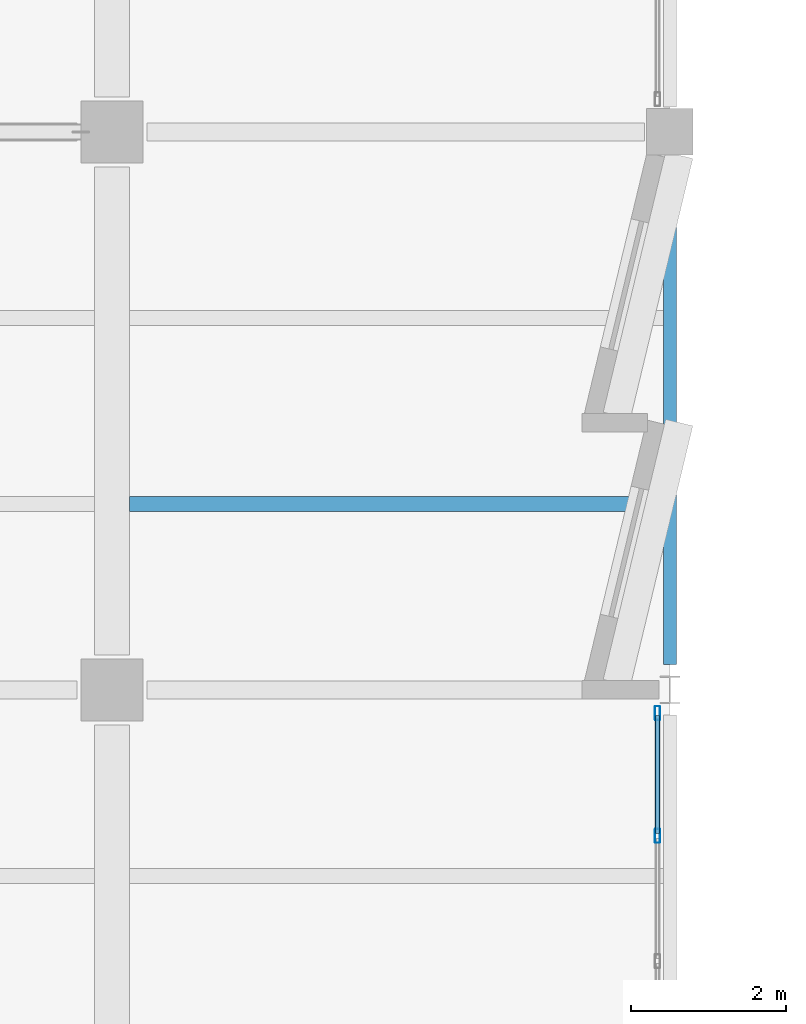
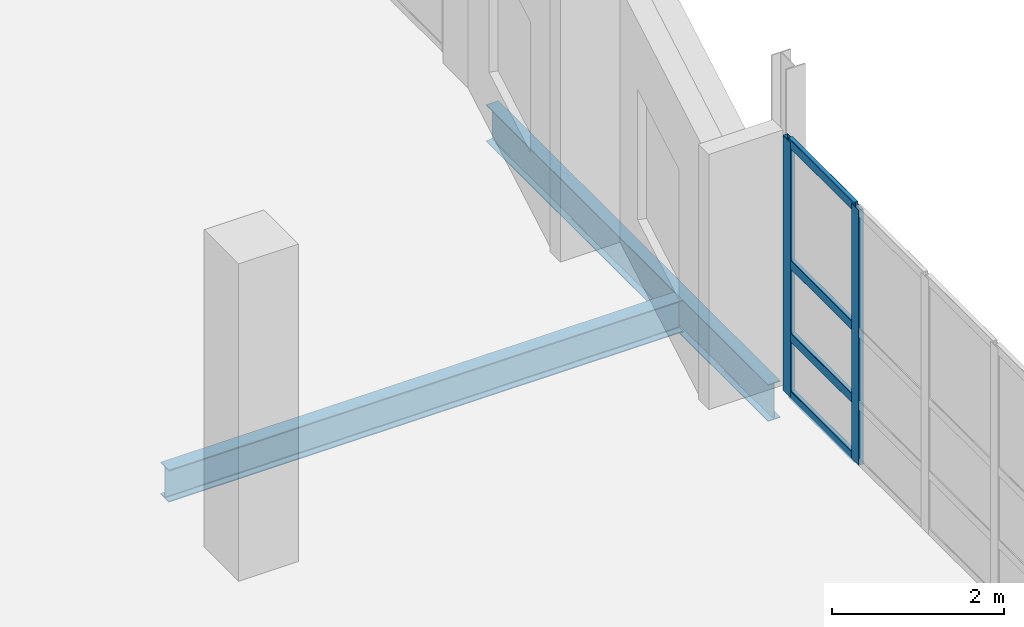
# One storey, part 30 of 123: 6 members, 2 beams, 1 element without a shape of its own.
"""IFC4 building model written with IfcOpenShell, lengths in metres."""

from ifc_helpers import new_model, si_unit, direction, frame, origin, origin_2d, place, context, subcontext, project, spatial, hollow_rectangle, i_section, extrude, material, material_profile, profile_set, type_object, element, aggregate, save


model = new_model("IFC4")

# Units and contexts
model_context = context("Model", 3, precision=1e-05, world=origin(), true_north=direction((0.0, 1.0)))
body_context = subcontext(model_context, "Body", "Model", "MODEL_VIEW")
ifc_project = project(units=[si_unit("LENGTHUNIT", "METRE"), si_unit("AREAUNIT", "SQUARE_METRE"), si_unit("VOLUMEUNIT", "CUBIC_METRE"), si_unit("PLANEANGLEUNIT", "RADIAN"), si_unit("MASSUNIT", "GRAM", prefix="KILO")], contexts=[model_context])

# Site, building, storey
site_placement = place(None, origin())
site = spatial("IfcSite", under=ifc_project, at=site_placement, CompositionType="ELEMENT")
building_placement = place(site_placement, origin())
building = spatial("IfcBuilding", under=site, at=building_placement, Name="Kalmorath City Hall", CompositionType="ELEMENT")
storey_placement = place(building_placement, frame((0.0, 0.0, 10.199951171875)))
storey = spatial("IfcBuildingStorey", under=building, at=storey_placement, Name="L02", CompositionType="ELEMENT", Elevation=10.199951171875)

# Curtain wall, members
ifc_material_1 = material(Name="Anodised aluminium and laminated glass", Category="aluminium")
curtain_wall_type = type_object("IfcCurtainWallType", Name="Unitised hurricane curtain wall 6468x3618 M1450", PredefinedType="NOTDEFINED", material=ifc_material_1)
curtain_wall_placement = place(storey_placement, origin())
curtain_wall = element("IfcCurtainWall", 1, at=curtain_wall_placement, inside=storey, type_object=curtain_wall_type, Name="L02 curtain wall CW-65X36M14 #142", PredefinedType="NOTDEFINED")
ifc_material_2 = material(Name="Anodised aluminium framing", Category="aluminium")
ifc_material_profile_1 = material_profile(ifc_material_2, hollow_rectangle(XDim=0.06494140625, YDim=0.179931640625, WallThickness=0.00390625, InnerFilletRadius=0.00390625, OuterFilletRadius=0.008056640625, at=origin_2d()), Name="ALU-MUL-180X65X4")
ifc_profile_set_1 = profile_set([ifc_material_profile_1], Name="Anodised aluminium framing")
member_type_1 = type_object("IfcMemberType", Name="Curtain-wall courtyard mullion 180x65", PredefinedType="MULLION", material=ifc_profile_set_1)
member_1_placement = place(storey_placement, frame((28.639892578125, 42.90087890625, 0.0), z_axis=(0.0, 0.0, 1.0), x_axis=(1.0, 0.0, 0.0)))
member_1 = element("IfcMember", 2, at=member_1_placement, type_object=member_type_1, Name="CW-65X36M14 mullion 1", PredefinedType="MULLION", context=body_context, shape_type="SweptSolid", body=[
    extrude(hollow_rectangle(XDim=0.06494140625, YDim=0.179931640625, WallThickness=0.00390625, InnerFilletRadius=0.00390625, OuterFilletRadius=0.008056640625, at=origin_2d()), origin(), (0.0, 0.0, 1.0), 3.6181640625),
])
member_2_placement = place(storey_placement, frame((28.639892578125, 41.31640625, 0.0), z_axis=(0.0, 0.0, 1.0), x_axis=(1.0, 0.0, 0.0)))
member_2 = element("IfcMember", 3, at=member_2_placement, type_object=member_type_1, Name="CW-65X36M14 mullion 2", PredefinedType="MULLION", context=body_context, shape_type="SweptSolid", body=[
    extrude(hollow_rectangle(XDim=0.06494140625, YDim=0.179931640625, WallThickness=0.00390625, InnerFilletRadius=0.00390625, OuterFilletRadius=0.008056640625, at=origin_2d()), origin(), (0.0, 0.0, 1.0), 3.6181640625),
])
ifc_material_3 = material(Name="Anodised aluminium framing", Category="aluminium")
ifc_material_profile_2 = material_profile(ifc_material_3, hollow_rectangle(XDim=0.06005859375, YDim=0.1298828125, WallThickness=0.00341796875, InnerFilletRadius=0.00341796875, OuterFilletRadius=0.007080078125, at=origin_2d()), Name="ALU-TRN-130X60X3.5")
ifc_profile_set_2 = profile_set([ifc_material_profile_2], Name="Anodised aluminium framing")
member_type_2 = type_object("IfcMemberType", Name="Curtain-wall courtyard transom 130x60", PredefinedType="USERDEFINED", material=ifc_profile_set_2)
member_3_placement = place(storey_placement, frame((28.639892578125, 42.868408203125, 0.030029296875), z_axis=(0.0, -1.0, 0.0), x_axis=(1.0, 0.0, 0.0)))
member_3 = element("IfcMember", 4, at=member_3_placement, type_object=member_type_2, Name="CW-65X36M14 transom 1.1", ObjectType="TRANSOM", PredefinedType="USERDEFINED", context=body_context, shape_type="SweptSolid", body=[
    extrude(hollow_rectangle(XDim=0.06005859375, YDim=0.1298828125, WallThickness=0.00341796875, InnerFilletRadius=0.00341796875, OuterFilletRadius=0.007080078125, at=origin_2d()), origin(), (0.0, 0.0, 1.0), 1.51953125),
])
member_4_placement = place(storey_placement, frame((28.639892578125, 42.868408203125, 0.85009765625), z_axis=(0.0, -1.0, 0.0), x_axis=(1.0, 0.0, 0.0)))
member_4 = element("IfcMember", 5, at=member_4_placement, type_object=member_type_2, Name="CW-65X36M14 transom 1.2", ObjectType="TRANSOM", PredefinedType="USERDEFINED", context=body_context, shape_type="SweptSolid", body=[
    extrude(hollow_rectangle(XDim=0.06005859375, YDim=0.1298828125, WallThickness=0.00341796875, InnerFilletRadius=0.00341796875, OuterFilletRadius=0.007080078125, at=origin_2d()), origin(), (0.0, 0.0, 1.0), 1.51953125),
])
member_5_placement = place(storey_placement, frame((28.639892578125, 42.868408203125, 1.881103515625), z_axis=(0.0, -1.0, 0.0), x_axis=(1.0, 0.0, 0.0)))
member_5 = element("IfcMember", 6, at=member_5_placement, type_object=member_type_2, Name="CW-65X36M14 transom 1.3", ObjectType="TRANSOM", PredefinedType="USERDEFINED", context=body_context, shape_type="SweptSolid", body=[
    extrude(hollow_rectangle(XDim=0.06005859375, YDim=0.1298828125, WallThickness=0.00341796875, InnerFilletRadius=0.00341796875, OuterFilletRadius=0.007080078125, at=origin_2d()), origin(), (0.0, 0.0, 1.0), 1.51953125),
])
member_6_placement = place(storey_placement, frame((28.639892578125, 42.868408203125, 3.588134765625), z_axis=(0.0, -1.0, 0.0), x_axis=(1.0, 0.0, 0.0)))
member_6 = element("IfcMember", 7, at=member_6_placement, type_object=member_type_2, Name="CW-65X36M14 transom 1.4", ObjectType="TRANSOM", PredefinedType="USERDEFINED", context=body_context, shape_type="SweptSolid", body=[
    extrude(hollow_rectangle(XDim=0.06005859375, YDim=0.1298828125, WallThickness=0.00341796875, InnerFilletRadius=0.00341796875, OuterFilletRadius=0.007080078125, at=origin_2d()), origin(), (0.0, 0.0, 1.0), 1.51953125),
])
aggregate(curtain_wall, [member_1, member_2, member_3, member_4, member_5, member_6])

# Beams
ifc_material_4 = material(Name="Steel ASTM A992 Grade 50", Category="steel")
ifc_material_profile_3 = material_profile(ifc_material_4, i_section(OverallWidth=0.19091796875, OverallDepth=0.45703125, WebThickness=0.009033203125, FlangeThickness=0.014404296875, FilletRadius=0.013916015625, at=origin_2d()), Name="W18X50")
ifc_profile_set_3 = profile_set([ifc_material_profile_3], Name="Steel ASTM A992 Grade 50")
beam_type_1 = type_object("IfcBeamType", Name="Steel composite joist W18X50", PredefinedType="JOIST", material=ifc_profile_set_3)
beam_1_placement = place(storey_placement, frame((21.824951171875, 45.60009765625, -0.512451171875), z_axis=(1.0, 0.0, 0.0), x_axis=(0.0, 1.0, 0.0)))
element("IfcBeam", 8, at=beam_1_placement, inside=storey, type_object=beam_type_1, Name="L02 joist SJ3 4.7.1", PredefinedType="JOIST", context=body_context, shape_type="SweptSolid", body=[
    extrude(i_section(OverallWidth=0.19091796875, OverallDepth=0.45703125, WebThickness=0.009033203125, FlangeThickness=0.014404296875, FilletRadius=0.013916015625, at=origin_2d()), origin(), (0.0, 0.0, 1.0), 6.892578125),
])
ifc_material_5 = material(Name="Steel ASTM A992 Grade 50", Category="steel")
ifc_material_profile_4 = material_profile(ifc_material_5, i_section(OverallWidth=0.1650390625, OverallDepth=0.52490234375, WebThickness=0.0087890625, FlangeThickness=0.011474609375, FilletRadius=0.014892578125, at=origin_2d()), Name="W21X44")
ifc_profile_set_4 = profile_set([ifc_material_profile_4], Name="Steel ASTM A992 Grade 50")
beam_type_2 = type_object("IfcBeamType", Name="Steel spandrel beam W21X44", PredefinedType="SPANDREL", material=ifc_profile_set_4)
beam_2_placement = place(storey_placement, frame((28.800048828125, 43.52490234375, -0.54638671875), z_axis=(0.0, 1.0, 0.0), x_axis=(-1.0, 0.0, 0.0)))
element("IfcBeam", 9, at=beam_2_placement, inside=storey, type_object=beam_type_2, Name="L02 girder SB4 Y5/7-8", PredefinedType="SPANDREL", context=body_context, shape_type="SweptSolid", body=[
    extrude(i_section(OverallWidth=0.1650390625, OverallDepth=0.52490234375, WebThickness=0.0087890625, FlangeThickness=0.011474609375, FilletRadius=0.014892578125, at=origin_2d()), origin(), (0.0, 0.0, 1.0), 6.550048828125),
])

save(model, "model.ifc")
